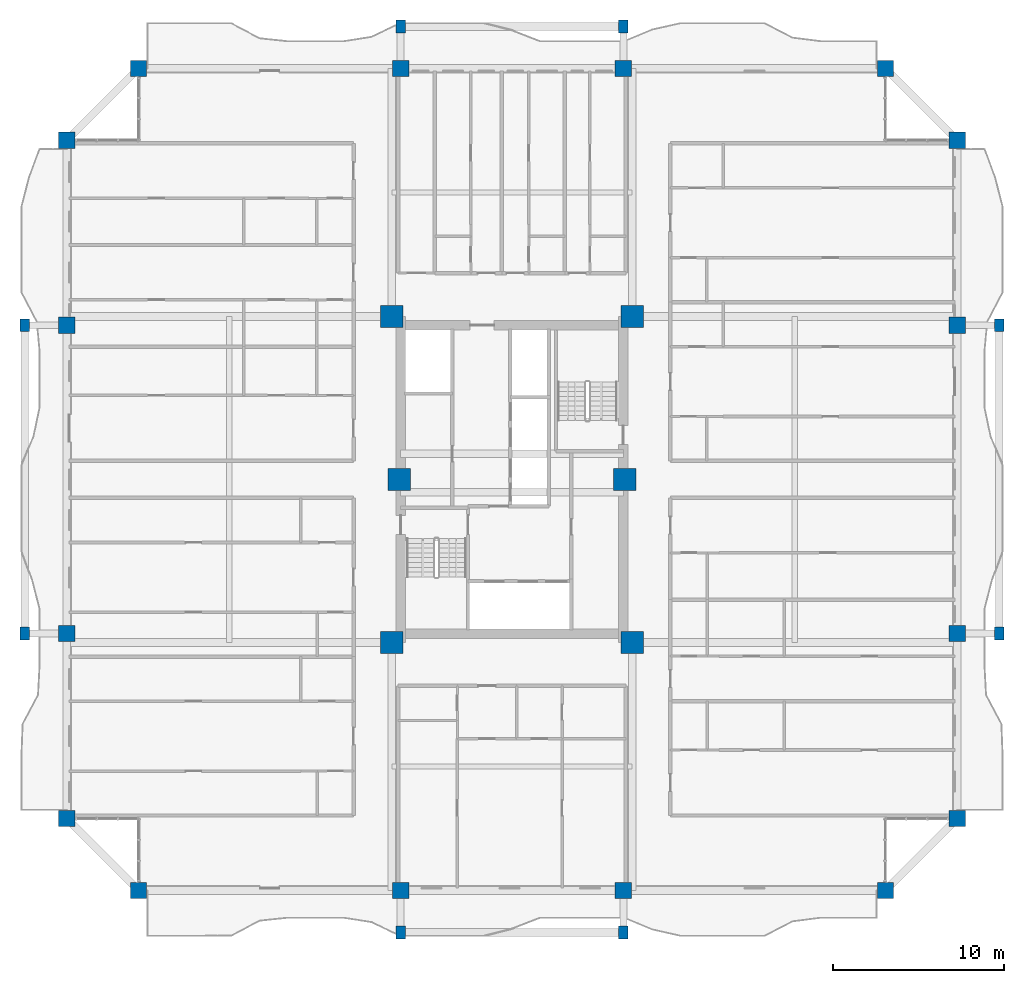
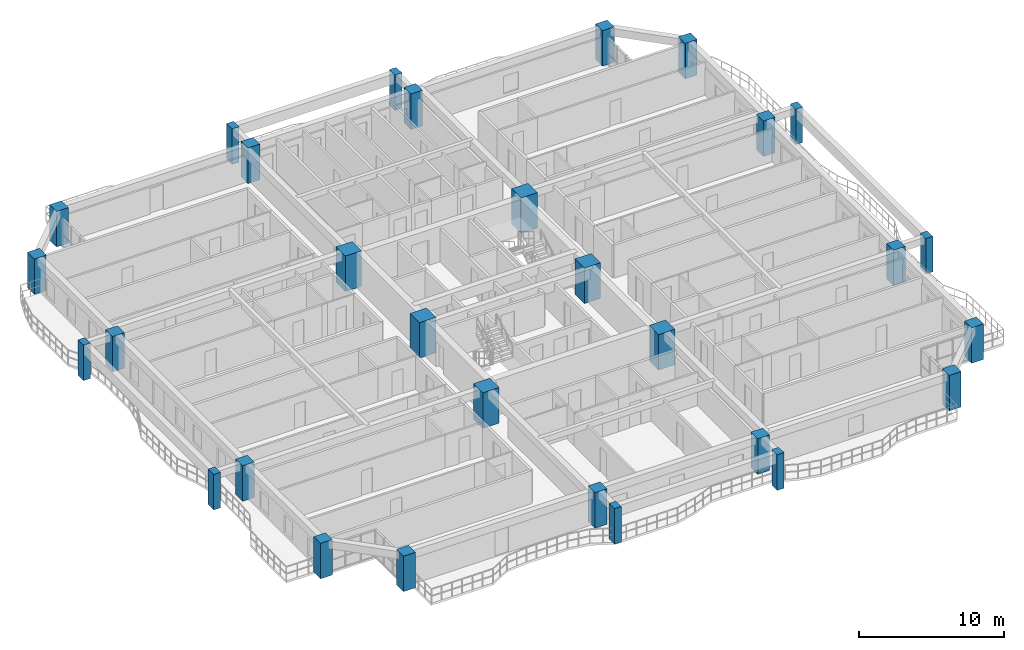
# One storey, part 1 of 26: 30 columns.
"""IFC4 building model written with IfcOpenShell, lengths in metres."""

from ifc_helpers import new_model, si_unit, direction, frame, origin, origin_2d, place, context, subcontext, project, spatial, rectangle, extrude, source, transform, mapped, material, material_profile, profile_set, type_object, element, save


model = new_model("IFC4")

# Units and contexts
model_context = context("Model", 3, precision=1e-05, world=origin(), true_north=direction((0.0, 1.0)))
body_context = subcontext(model_context, "Body", "Model", "MODEL_VIEW")
ifc_project = project(units=[si_unit("LENGTHUNIT", "METRE"), si_unit("AREAUNIT", "SQUARE_METRE"), si_unit("VOLUMEUNIT", "CUBIC_METRE"), si_unit("PLANEANGLEUNIT", "RADIAN"), si_unit("MASSUNIT", "GRAM", prefix="KILO")], contexts=[model_context])

# Site, building, storey
site_placement = place(None, origin())
site = spatial("IfcSite", under=ifc_project, at=site_placement, CompositionType="ELEMENT")
building_placement = place(site_placement, origin())
building = spatial("IfcBuilding", under=site, at=building_placement, Name="Saelheon Loggia Tower", CompositionType="ELEMENT")
storey_placement = place(building_placement, frame((0.0, 0.0, 116.85009765625)))
storey = spatial("IfcBuildingStorey", under=building, at=storey_placement, Name="L37", CompositionType="ELEMENT", Elevation=116.85009765625)

# Columns
ifc_material_1 = material(Name="Precast Concrete C45/55", Category="concrete")
ifc_material_profile_1 = material_profile(ifc_material_1, rectangle(XDim=0.550048828125, YDim=0.75, at=origin_2d()), Name="RC-550x750")
ifc_profile_set_1 = profile_set([ifc_material_profile_1], Name="Precast Concrete C45/55")
column_type_1 = type_object("IfcColumnType", Name="Col_Loggia_Pilaster_750", PredefinedType="PILASTER", material=ifc_profile_set_1)
shared_shape_1 = source(origin(), body_context, "Body", "SweptSolid", [
    extrude(rectangle(XDim=0.550048828125, YDim=0.75, at=origin_2d()), origin(), (0.0, 0.0, 1.0), 3.0),
])
for number, where, z_axis, x_axis, name in (
    (1, (31.5, 0.550048828125, 0.0), (0.0, 0.0, 1.0), (1.0, 0.0, 0.0), "L37 Loggia Frame Pilaster LP-S1"),
    (2, (44.5, 0.550048828125, 0.0), (0.0, 0.0, 1.0), (1.0, 0.0, 0.0), "L37 Loggia Frame Pilaster LP-S2"),
    (3, (31.5, 53.449951171875, 0.0), (0.0, 0.0, 1.0), (1.0, 0.0, 0.0), "L37 Loggia Frame Pilaster LP-N1"),
    (4, (44.5, 53.449951171875, 0.0), (0.0, 0.0, 1.0), (1.0, 0.0, 0.0), "L37 Loggia Frame Pilaster LP-N2"),
    (5, (66.449951171875, 18.0, 0.0), (0.0, 0.0, 1.0), (1.0, 0.0, 0.0), "L37 Loggia Frame Pilaster LP-E1"),
    (6, (66.449951171875, 36.0, 0.0), (0.0, 0.0, 1.0), (1.0, 0.0, 0.0), "L37 Loggia Frame Pilaster LP-E2"),
    (7, (9.550048828125, 18.0, 0.0), (0.0, 0.0, 1.0), (1.0, 0.0, 0.0), "L37 Loggia Frame Pilaster LP-W1"),
    (8, (9.550048828125, 36.0, 0.0), (0.0, 0.0, 1.0), (1.0, 0.0, 0.0), "L37 Loggia Frame Pilaster LP-W2"),
):
    element("IfcColumn", number, at=place(storey_placement, frame(where, z_axis=z_axis, x_axis=x_axis)), inside=storey, type_object=column_type_1, Name=name, PredefinedType="PILASTER", context=body_context, shape_type="MappedRepresentation", body=[
        mapped(shared_shape_1, transform((0.0, 0.0, 0.0), scale=1.0)),
    ])
ifc_material_2 = material(Name="Concrete C60/75", Category="concrete")
ifc_material_profile_2 = material_profile(ifc_material_2, rectangle(XDim=1.300048828125, YDim=1.300048828125, at=origin_2d()), Name="RC-1300x1300")
ifc_profile_set_2 = profile_set([ifc_material_profile_2], Name="Concrete C60/75")
column_type_2 = type_object("IfcColumnType", Name="Col_Core_RC1300", PredefinedType="COLUMN", material=ifc_profile_set_2)
shared_shape_2 = source(origin(), body_context, "Body", "SweptSolid", [
    extrude(rectangle(XDim=1.300048828125, YDim=1.300048828125, at=origin_2d()), origin(), (0.0, 0.0, 1.0), 3.0),
])
for number, where, z_axis, x_axis, name in (
    (9, (30.97998046875, 17.47998046875, 0.0), (0.0, 0.0, 1.0), (1.0, 0.0, 0.0), "L37 Core Column CR-SW"),
    (10, (45.02001953125, 17.47998046875, 0.0), (0.0, 0.0, 1.0), (1.0, 0.0, 0.0), "L37 Core Column CR-SE"),
    (11, (30.97998046875, 36.52001953125, 0.0), (0.0, 0.0, 1.0), (1.0, 0.0, 0.0), "L37 Core Column CR-NW"),
    (12, (45.02001953125, 36.52001953125, 0.0), (0.0, 0.0, 1.0), (1.0, 0.0, 0.0), "L37 Core Column CR-NE"),
    (13, (31.419921875, 27.0, 0.0), (0.0, 0.0, 1.0), (1.0, 0.0, 0.0), "L37 Core Column CR-MW"),
    (14, (44.580078125, 27.0, 0.0), (0.0, 0.0, 1.0), (1.0, 0.0, 0.0), "L37 Core Column CR-ME"),
):
    element("IfcColumn", number, at=place(storey_placement, frame(where, z_axis=z_axis, x_axis=x_axis)), inside=storey, type_object=column_type_2, Name=name, PredefinedType="COLUMN", context=body_context, shape_type="MappedRepresentation", body=[
        mapped(shared_shape_2, transform((0.0, 0.0, 0.0), scale=1.0)),
    ])
ifc_material_3 = material(Name="Concrete C50/60", Category="concrete")
ifc_material_profile_3 = material_profile(ifc_material_3, rectangle(XDim=0.949951171875, YDim=0.949951171875, at=origin_2d()), Name="RC-950x950")
ifc_profile_set_3 = profile_set([ifc_material_profile_3], Name="Concrete C50/60")
column_type_3 = type_object("IfcColumnType", Name="Col_Perim_RC950", PredefinedType="COLUMN", material=ifc_profile_set_3)
shared_shape_3 = source(origin(), body_context, "Body", "SweptSolid", [
    extrude(rectangle(XDim=0.949951171875, YDim=0.949951171875, at=origin_2d()), origin(), (0.0, 0.0, 1.0), 3.0),
])
for number, where, z_axis, x_axis, name in (
    (15, (16.199951171875, 3.0, 0.0), (0.0, 0.0, 1.0), (1.0, 0.0, 0.0), "L37 Perimeter Column TP-S1"),
    (16, (31.5, 3.0, 0.0), (0.0, 0.0, 1.0), (1.0, 0.0, 0.0), "L37 Perimeter Column TP-SA"),
    (17, (44.5, 3.0, 0.0), (0.0, 0.0, 1.0), (1.0, 0.0, 0.0), "L37 Perimeter Column TP-SB"),
    (18, (59.800048828125, 3.0, 0.0), (0.0, 0.0, 1.0), (1.0, 0.0, 0.0), "L37 Perimeter Column TP-S2"),
    (19, (64.0, 7.199951171875, 0.0), (0.0, 0.0, 1.0), (1.0, 0.0, 0.0), "L37 Perimeter Column TP-E1"),
    (20, (64.0, 18.0, 0.0), (0.0, 0.0, 1.0), (1.0, 0.0, 0.0), "L37 Perimeter Column TP-EA"),
    (21, (64.0, 36.0, 0.0), (0.0, 0.0, 1.0), (1.0, 0.0, 0.0), "L37 Perimeter Column TP-EB"),
    (22, (64.0, 46.800048828125, 0.0), (0.0, 0.0, 1.0), (1.0, 0.0, 0.0), "L37 Perimeter Column TP-E2"),
    (23, (59.800048828125, 51.0, 0.0), (0.0, 0.0, 1.0), (1.0, 0.0, 0.0), "L37 Perimeter Column TP-N2"),
    (24, (44.5, 51.0, 0.0), (0.0, 0.0, 1.0), (1.0, 0.0, 0.0), "L37 Perimeter Column TP-NB"),
    (25, (31.5, 51.0, 0.0), (0.0, 0.0, 1.0), (1.0, 0.0, 0.0), "L37 Perimeter Column TP-NA"),
    (26, (16.199951171875, 51.0, 0.0), (0.0, 0.0, 1.0), (1.0, 0.0, 0.0), "L37 Perimeter Column TP-N1"),
    (27, (12.0, 46.800048828125, 0.0), (0.0, 0.0, 1.0), (1.0, 0.0, 0.0), "L37 Perimeter Column TP-W2"),
    (28, (12.0, 36.0, 0.0), (0.0, 0.0, 1.0), (1.0, 0.0, 0.0), "L37 Perimeter Column TP-WB"),
    (29, (12.0, 18.0, 0.0), (0.0, 0.0, 1.0), (1.0, 0.0, 0.0), "L37 Perimeter Column TP-WA"),
    (30, (12.0, 7.199951171875, 0.0), (0.0, 0.0, 1.0), (1.0, 0.0, 0.0), "L37 Perimeter Column TP-W1"),
):
    element("IfcColumn", number, at=place(storey_placement, frame(where, z_axis=z_axis, x_axis=x_axis)), inside=storey, type_object=column_type_3, Name=name, PredefinedType="COLUMN", context=body_context, shape_type="MappedRepresentation", body=[
        mapped(shared_shape_3, transform((0.0, 0.0, 0.0), scale=1.0)),
    ])

save(model, "model.ifc")
